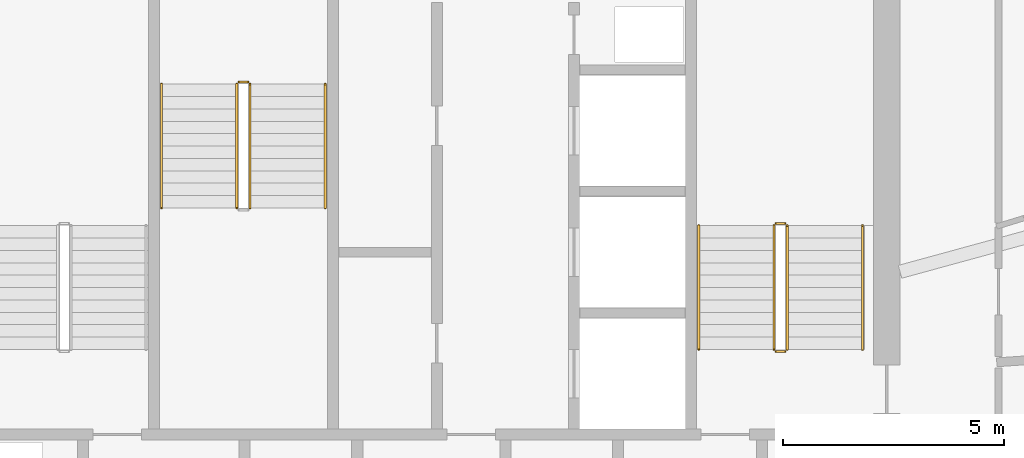
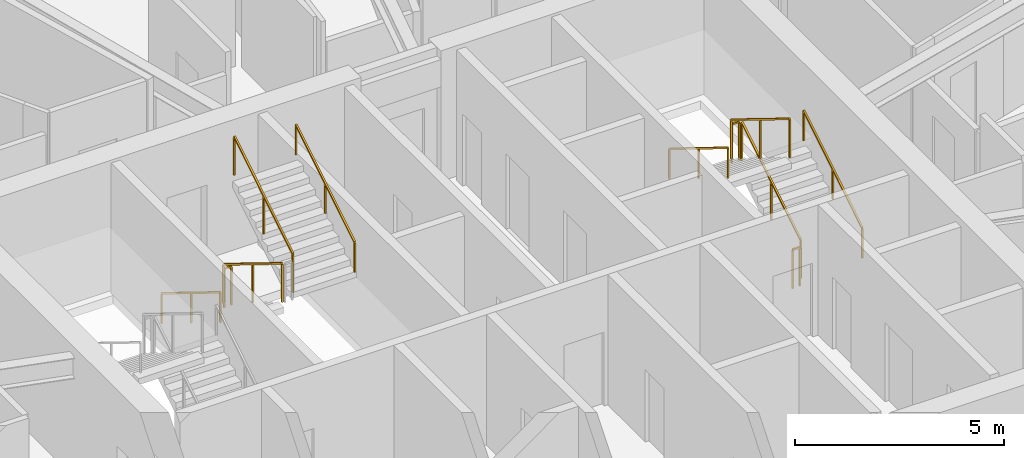
# One storey, part 25 of 26: 11 railings.
"""IFC4 building model written with IfcOpenShell, lengths in metres."""

from ifc_helpers import new_model, si_unit, direction, frame, origin, origin_2d, place, context, subcontext, project, spatial, rectangle, extrude, material, type_object, element, save


model = new_model("IFC4")

# Units and contexts
model_context = context("Model", 3, precision=1e-05, world=origin(), true_north=direction((0.0, 1.0)))
body_context = subcontext(model_context, "Body", "Model", "MODEL_VIEW")
ifc_project = project(units=[si_unit("LENGTHUNIT", "METRE"), si_unit("AREAUNIT", "SQUARE_METRE"), si_unit("VOLUMEUNIT", "CUBIC_METRE"), si_unit("PLANEANGLEUNIT", "RADIAN"), si_unit("MASSUNIT", "GRAM", prefix="KILO")], contexts=[model_context])

# Site, building, storey
site_placement = place(None, origin())
site = spatial("IfcSite", under=ifc_project, at=site_placement, CompositionType="ELEMENT")
building_placement = place(site_placement, origin())
building = spatial("IfcBuilding", under=site, at=building_placement, Name="Zuhravey Tower", CompositionType="ELEMENT")
storey_placement = place(building_placement, frame((0.0, 0.0, 250.199951171875)))
storey = spatial("IfcBuildingStorey", under=building, at=storey_placement, Name="L63", CompositionType="ELEMENT", Elevation=250.199951171875)

# Railings
ifc_material_1 = material(Name="Brushed stainless steel", Category="steel")
railing_type_1 = type_object("IfcRailingType", Name="Stair Wall Handrail 900", PredefinedType="HANDRAIL", material=ifc_material_1)
railing_1_placement = place(storey_placement, frame((45.949951171875, 33.199951171875, 0.1728515625)))
element("IfcRailing", 1, at=railing_1_placement, inside=storey, type_object=railing_type_1, Name="L63 ST2 stair handrail 1", PredefinedType="HANDRAIL", context=body_context, shape_type="SweptSolid", body=[
    extrude(rectangle(XDim=0.048095703125, YDim=0.048095703125, at=origin_2d()), frame((0.0, 0.001708984375, 0.876953125), z_axis=(0.0, 0.851089632645, 0.525020415988), x_axis=(-1.0, 0.0, 0.0)), (0.0, 0.0, 1.0), 3.285888671875),
    extrude(rectangle(XDim=0.0419921875, YDim=0.0419921875, at=origin_2d()), origin(), (0.0, 0.0, 1.0), 0.849853515625),
    extrude(rectangle(XDim=0.0419921875, YDim=0.0419921875, at=origin_2d()), frame((0.0, 1.39990234375, 0.86376953125)), (0.0, 0.0, 1.0), 0.849853515625),
    extrude(rectangle(XDim=0.0419921875, YDim=0.0419921875, at=origin_2d()), frame((0.0, 2.800048828125, 1.727294921875)), (0.0, 0.0, 1.0), 0.849853515625),
])
for number, where, name in (
    (2, (42.25, 36.0, 2.07275390625), "L63 ST2 stair handrail 2"),
    (3, (30.10009765625, 39.199951171875, 0.1728515625), "L63 ST3 stair handrail 1"),
):
    element("IfcRailing", number, at=place(storey_placement, frame(where)), inside=storey, type_object=railing_type_1, Name=name, PredefinedType="HANDRAIL", context=body_context, shape_type="SweptSolid", body=[
        extrude(rectangle(XDim=0.048095703125, YDim=0.048095703125, at=origin_2d()), frame((0.0, -0.001708984375, 0.876953125), z_axis=(0.0, -0.851089632645, 0.525020415988), x_axis=(1.0, 0.0, 0.0)), (0.0, 0.0, 1.0), 3.285888671875),
        extrude(rectangle(XDim=0.0419921875, YDim=0.0419921875, at=origin_2d()), origin(), (0.0, 0.0, 1.0), 0.849853515625),
        extrude(rectangle(XDim=0.0419921875, YDim=0.0419921875, at=origin_2d()), frame((0.0, -1.39990234375, 0.86376953125)), (0.0, 0.0, 1.0), 0.849853515625),
        extrude(rectangle(XDim=0.0419921875, YDim=0.0419921875, at=origin_2d()), frame((0.0, -2.800048828125, 1.727294921875)), (0.0, 0.0, 1.0), 0.849853515625),
    ])
railing_2_placement = place(storey_placement, frame((33.800048828125, 36.39990234375, 2.07275390625)))
element("IfcRailing", 4, at=railing_2_placement, inside=storey, type_object=railing_type_1, Name="L63 ST3 stair handrail 2", PredefinedType="HANDRAIL", context=body_context, shape_type="SweptSolid", body=[
    extrude(rectangle(XDim=0.048095703125, YDim=0.048095703125, at=origin_2d()), frame((0.0, 0.001708984375, 0.876953125), z_axis=(0.0, 0.851089632645, 0.525020415988), x_axis=(-1.0, 0.0, 0.0)), (0.0, 0.0, 1.0), 3.285888671875),
    extrude(rectangle(XDim=0.0419921875, YDim=0.0419921875, at=origin_2d()), origin(), (0.0, 0.0, 1.0), 0.849853515625),
    extrude(rectangle(XDim=0.0419921875, YDim=0.0419921875, at=origin_2d()), frame((0.0, 1.39990234375, 0.86376953125)), (0.0, 0.0, 1.0), 0.849853515625),
    extrude(rectangle(XDim=0.0419921875, YDim=0.0419921875, at=origin_2d()), frame((0.0, 2.800048828125, 1.727294921875)), (0.0, 0.0, 1.0), 0.849853515625),
])
ifc_material_2 = material(Name="Painted tubular steel", Category="steel")
railing_type_2 = type_object("IfcRailingType", Name="Stair Well Guardrail 1150", PredefinedType="GUARDRAIL", material=ifc_material_2)
railing_3_placement = place(storey_placement, frame((44.25, 33.199951171875, 0.1728515625)))
element("IfcRailing", 5, at=railing_3_placement, inside=storey, type_object=railing_type_2, Name="L63 ST2 stair guard 1", PredefinedType="GUARDRAIL", context=body_context, shape_type="SweptSolid", body=[
    extrude(rectangle(XDim=0.048095703125, YDim=0.048095703125, at=origin_2d()), frame((0.0, 0.001708984375, 1.126953125), z_axis=(0.0, 0.851089632645, 0.525020415988), x_axis=(-1.0, 0.0, 0.0)), (0.0, 0.0, 1.0), 3.285888671875),
    extrude(rectangle(XDim=0.0419921875, YDim=0.0419921875, at=origin_2d()), origin(), (0.0, 0.0, 1.0), 1.099853515625),
    extrude(rectangle(XDim=0.0419921875, YDim=0.0419921875, at=origin_2d()), frame((0.0, 1.39990234375, 0.86376953125)), (0.0, 0.0, 1.0), 1.099853515625),
    extrude(rectangle(XDim=0.0419921875, YDim=0.0419921875, at=origin_2d()), frame((0.0, 2.800048828125, 1.727294921875)), (0.0, 0.0, 1.0), 1.099853515625),
])
railing_4_placement = place(storey_placement, frame((44.199951171875, 36.050048828125, 1.900146484375)))
element("IfcRailing", 6, at=railing_4_placement, inside=storey, type_object=railing_type_2, Name="L63 ST2 stair guard 2", PredefinedType="GUARDRAIL", context=body_context, shape_type="SweptSolid", body=[
    extrude(rectangle(XDim=0.048095703125, YDim=0.048095703125, at=origin_2d()), frame((-0.001953125, 0.0, 1.1259765625), z_axis=(-1.0, 0.0, 0.0), x_axis=(0.0, -1.0, 0.0)), (0.0, 0.0, 1.0), 0.196044921875),
    extrude(rectangle(XDim=0.0419921875, YDim=0.0419921875, at=origin_2d()), origin(), (0.0, 0.0, 1.0), 1.099853515625),
    extrude(rectangle(XDim=0.0419921875, YDim=0.0419921875, at=origin_2d()), frame((-0.199951171875, 0.0, 0.0)), (0.0, 0.0, 1.0), 1.099853515625),
])
railing_5_placement = place(storey_placement, frame((43.949951171875, 36.0, 2.07275390625)))
element("IfcRailing", 7, at=railing_5_placement, inside=storey, type_object=railing_type_2, Name="L63 ST2 stair guard 3", PredefinedType="GUARDRAIL", context=body_context, shape_type="SweptSolid", body=[
    extrude(rectangle(XDim=0.048095703125, YDim=0.048095703125, at=origin_2d()), frame((0.0, -0.001708984375, 1.126953125), z_axis=(0.0, -0.851089632645, 0.525020415988), x_axis=(1.0, 0.0, 0.0)), (0.0, 0.0, 1.0), 3.285888671875),
    extrude(rectangle(XDim=0.0419921875, YDim=0.0419921875, at=origin_2d()), origin(), (0.0, 0.0, 1.0), 1.099853515625),
    extrude(rectangle(XDim=0.0419921875, YDim=0.0419921875, at=origin_2d()), frame((0.0, -1.39990234375, 0.86376953125)), (0.0, 0.0, 1.0), 1.099853515625),
    extrude(rectangle(XDim=0.0419921875, YDim=0.0419921875, at=origin_2d()), frame((0.0, -2.800048828125, 1.727294921875)), (0.0, 0.0, 1.0), 1.099853515625),
])
railing_6_placement = place(storey_placement, frame((44.199951171875, 33.14990234375, 0.0)))
element("IfcRailing", 8, at=railing_6_placement, inside=storey, type_object=railing_type_2, Name="L63 ST2 stair guard 4", PredefinedType="GUARDRAIL", context=body_context, shape_type="SweptSolid", body=[
    extrude(rectangle(XDim=0.048095703125, YDim=0.048095703125, at=origin_2d()), frame((-0.001953125, 0.0, 1.1259765625), z_axis=(-1.0, 0.0, 0.0), x_axis=(0.0, -1.0, 0.0)), (0.0, 0.0, 1.0), 0.196044921875),
    extrude(rectangle(XDim=0.0419921875, YDim=0.0419921875, at=origin_2d()), origin(), (0.0, 0.0, 1.0), 1.099853515625),
    extrude(rectangle(XDim=0.0419921875, YDim=0.0419921875, at=origin_2d()), frame((-0.199951171875, 0.0, 0.0)), (0.0, 0.0, 1.0), 1.099853515625),
])
railing_7_placement = place(storey_placement, frame((31.800048828125, 39.199951171875, 0.1728515625)))
element("IfcRailing", 9, at=railing_7_placement, inside=storey, type_object=railing_type_2, Name="L63 ST3 stair guard 1", PredefinedType="GUARDRAIL", context=body_context, shape_type="SweptSolid", body=[
    extrude(rectangle(XDim=0.048095703125, YDim=0.048095703125, at=origin_2d()), frame((0.0, -0.001708984375, 1.126953125), z_axis=(0.0, -0.851089632645, 0.525020415988), x_axis=(1.0, 0.0, 0.0)), (0.0, 0.0, 1.0), 3.285888671875),
    extrude(rectangle(XDim=0.0419921875, YDim=0.0419921875, at=origin_2d()), origin(), (0.0, 0.0, 1.0), 1.099853515625),
    extrude(rectangle(XDim=0.0419921875, YDim=0.0419921875, at=origin_2d()), frame((0.0, -1.39990234375, 0.86376953125)), (0.0, 0.0, 1.0), 1.099853515625),
    extrude(rectangle(XDim=0.0419921875, YDim=0.0419921875, at=origin_2d()), frame((0.0, -2.800048828125, 1.727294921875)), (0.0, 0.0, 1.0), 1.099853515625),
])
railing_8_placement = place(storey_placement, frame((32.10009765625, 36.39990234375, 2.07275390625)))
element("IfcRailing", 10, at=railing_8_placement, inside=storey, type_object=railing_type_2, Name="L63 ST3 stair guard 3", PredefinedType="GUARDRAIL", context=body_context, shape_type="SweptSolid", body=[
    extrude(rectangle(XDim=0.048095703125, YDim=0.048095703125, at=origin_2d()), frame((0.0, 0.001708984375, 1.126953125), z_axis=(0.0, 0.851089632645, 0.525020415988), x_axis=(-1.0, 0.0, 0.0)), (0.0, 0.0, 1.0), 3.285888671875),
    extrude(rectangle(XDim=0.0419921875, YDim=0.0419921875, at=origin_2d()), origin(), (0.0, 0.0, 1.0), 1.099853515625),
    extrude(rectangle(XDim=0.0419921875, YDim=0.0419921875, at=origin_2d()), frame((0.0, 1.39990234375, 0.86376953125)), (0.0, 0.0, 1.0), 1.099853515625),
    extrude(rectangle(XDim=0.0419921875, YDim=0.0419921875, at=origin_2d()), frame((0.0, 2.800048828125, 1.727294921875)), (0.0, 0.0, 1.0), 1.099853515625),
])
railing_9_placement = place(storey_placement, frame((31.85009765625, 39.25, 0.0)))
element("IfcRailing", 11, at=railing_9_placement, inside=storey, type_object=railing_type_2, Name="L63 ST3 stair guard 4", PredefinedType="GUARDRAIL", context=body_context, shape_type="SweptSolid", body=[
    extrude(rectangle(XDim=0.048095703125, YDim=0.048095703125, at=origin_2d()), frame((0.001953125, 0.0, 1.1259765625), z_axis=(1.0, 0.0, 0.0), x_axis=(0.0, 1.0, 0.0)), (0.0, 0.0, 1.0), 0.196044921875),
    extrude(rectangle(XDim=0.0419921875, YDim=0.0419921875, at=origin_2d()), origin(), (0.0, 0.0, 1.0), 1.099853515625),
    extrude(rectangle(XDim=0.0419921875, YDim=0.0419921875, at=origin_2d()), frame((0.199951171875, 0.0, 0.0)), (0.0, 0.0, 1.0), 1.099853515625),
])

save(model, "model.ifc")
